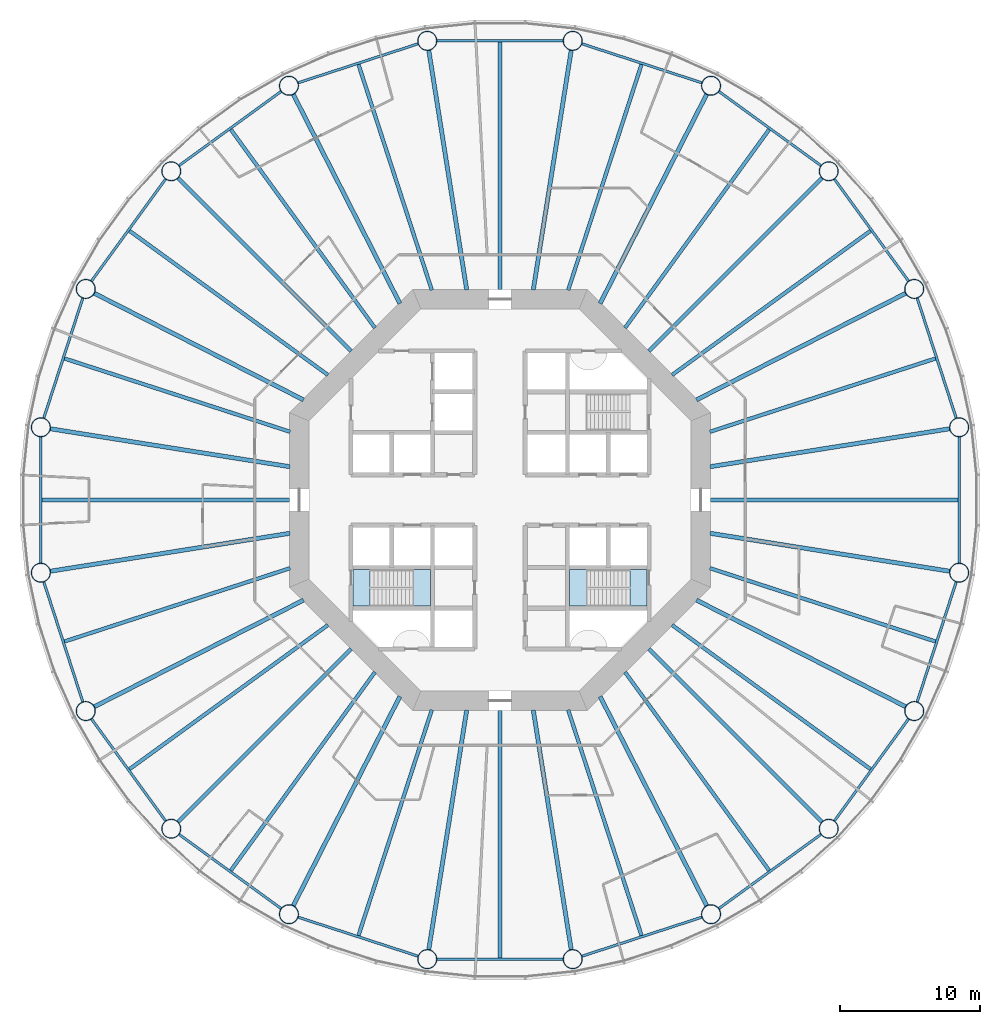
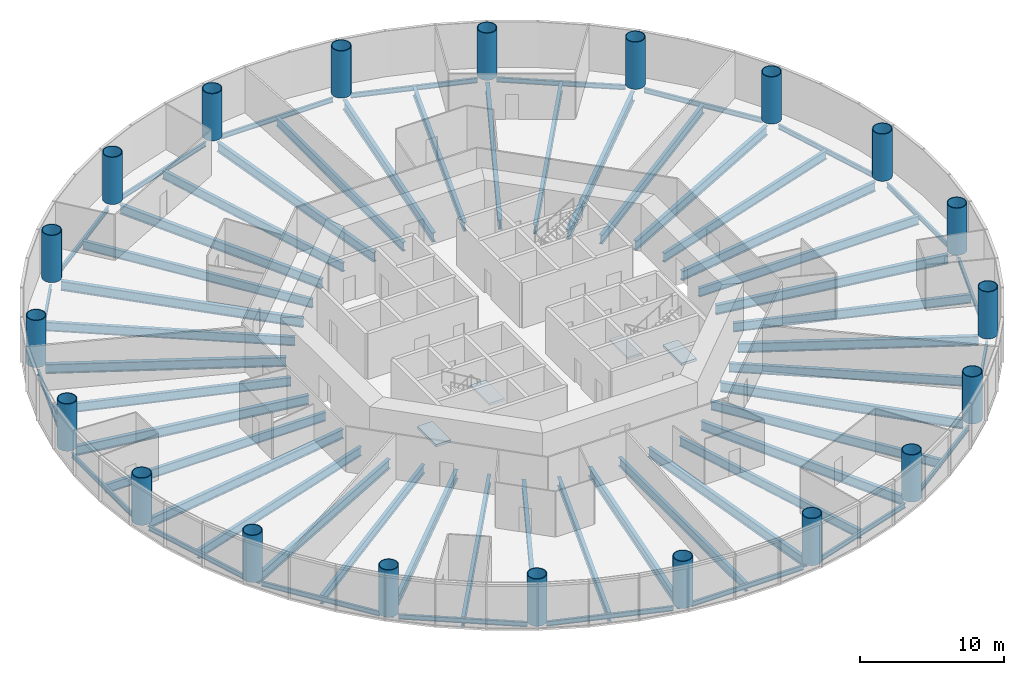
# One storey, part 1 of 13: 60 beams, 20 columns, 4 slabs, 2 elements without a shape of their own.
"""IFC4 building model written with IfcOpenShell, lengths in metres."""

import ifcopenshell
import ifcopenshell.guid

model = None  # the IFC model being written
_history = None  # IfcOwnerHistory: only IFC2X3 demands one
_inside = {}  # id of a spatial element -> (the spatial element, [elements in it])
_under = {}  # id of a project, library or spatial element -> (it, [spatial elements below it])
_declared = {}  # id of a project -> (the project, [libraries it declares])
_typed = {}  # id of a type object -> (the type object, [elements of that type])
_made_of = {}  # id of a material, layer set ... -> (it, [elements and type objects made of it])


def new_model(schema):
    """Start an empty IFC model of exactly this schema.

    Asked for "IFC4X3", IfcOpenShell would pick the latest addendum, in which some entities
    have other attributes; the version numbers below select the first issue.
    IFC2X3 requires an IfcOwnerHistory on every rooted entity: one is made here for all.
    """
    global model, _history
    if schema == "IFC4X3":
        model = ifcopenshell.file(schema_version=(4, 3, 0, 0))
    else:
        model = ifcopenshell.file(schema=schema)
    _inside.clear()
    _under.clear()
    _declared.clear()
    _typed.clear()
    _made_of.clear()
    _history = None
    if model.schema == "IFC2X3":
        org = make("IfcOrganization", Name="unknown")
        user = make(
            "IfcPersonAndOrganization",
            ThePerson=make("IfcPerson", FamilyName="unknown"),
            TheOrganization=org,
        )
        app = make(
            "IfcApplication",
            ApplicationDeveloper=org,
            Version="unknown",
            ApplicationFullName="unknown",
            ApplicationIdentifier="unknown",
        )
        _history = make(
            "IfcOwnerHistory",
            OwningUser=user,
            OwningApplication=app,
            ChangeAction="ADDED",
            CreationDate=0,
        )
    return model


def make(cls, **values):
    """One entity of the class cls with the attributes given. An attribute that is None is left unset."""
    return model.create_entity(
        cls, **{name: value for name, value in values.items() if value is not None}
    )


def rooted(cls, **values):
    """An entity with a GlobalId (a new one), such as an element, a storey or a relation."""
    return make(cls, GlobalId=ifcopenshell.guid.new(), OwnerHistory=_history, **values)


def si_unit(unit_type, name, prefix=None):
    """IfcSIUnit, for example si_unit("LENGTHUNIT", "METRE", prefix="MILLI")."""
    return make("IfcSIUnit", UnitType=unit_type, Prefix=prefix, Name=name)


def assignment(units):
    """IfcUnitAssignment: the units of a project."""
    return None if units is None else make("IfcUnitAssignment", Units=units)


def point(xyz):
    """IfcCartesianPoint."""
    return None if xyz is None else make("IfcCartesianPoint", Coordinates=xyz)


def direction(xyz):
    """IfcDirection."""
    return None if xyz is None else make("IfcDirection", DirectionRatios=xyz)


def frame(location, z_axis=None, x_axis=None):
    """IfcAxis2Placement3D, a coordinate frame: its origin and axes. An axis left out is left unset."""
    return make(
        "IfcAxis2Placement3D",
        Location=point(location),
        Axis=direction(z_axis),
        RefDirection=direction(x_axis),
    )


def frame_2d(location, x_axis=None):
    """IfcAxis2Placement2D, a coordinate frame in the plane: its origin and x axis."""
    return make(
        "IfcAxis2Placement2D", Location=point(location), RefDirection=direction(x_axis)
    )


def origin():
    """The frame at (0, 0, 0) with its axes left unset."""
    return frame((0.0, 0.0, 0.0))


def origin_2d():
    """The frame at (0, 0) in the plane with its x axis left unset."""
    return frame_2d((0.0, 0.0))


def place(relative_to, where):
    """IfcLocalPlacement: puts the frame where relative to a parent placement (None: the world)."""
    return make(
        "IfcLocalPlacement", PlacementRelTo=relative_to, RelativePlacement=where
    )


def context(
    kind, dimensions, precision=None, world=None, true_north=None, identifier=None
):
    """IfcGeometricRepresentationContext, for example the 3D "Model" context."""
    return make(
        "IfcGeometricRepresentationContext",
        ContextIdentifier=identifier,
        ContextType=kind,
        CoordinateSpaceDimension=dimensions,
        Precision=precision,
        WorldCoordinateSystem=world,
        TrueNorth=true_north,
    )


def subcontext(parent, identifier, kind, view, scale=None):
    """IfcGeometricRepresentationSubContext, for example "Body" below "Model"."""
    return make(
        "IfcGeometricRepresentationSubContext",
        ContextIdentifier=identifier,
        ContextType=kind,
        ParentContext=parent,
        TargetScale=scale,
        TargetView=view,
    )


def project(units=None, contexts=None):
    """IfcProject with its units and contexts."""
    return rooted(
        "IfcProject",
        Name="project",
        RepresentationContexts=contexts,
        UnitsInContext=assignment(units),
    )


def spatial(cls, under=None, at=None, **own):
    """A site, building, storey or space (cls), placed at a placement, below another one or the project."""
    s = rooted(cls, ObjectPlacement=at, **own)
    if under is not None:
        _under.setdefault(under.id(), (under, []))[1].append(s)
    return s


def polyline(points):
    """IfcPolyline through the points."""
    return make("IfcPolyline", Points=[point(p) for p in points])


def profile(cls, at=None, kind="AREA", **sizes):
    """A parametric profile (cls). Its sizes go by their IFC names, for example OverallWidth=200.0."""
    return make(cls, ProfileType=kind, Position=at, **sizes)


def circle(**sizes):
    """IfcCircleProfileDef."""
    return profile("IfcCircleProfileDef", **sizes)


def hollow_circle(**sizes):
    """IfcCircleHollowProfileDef."""
    return profile("IfcCircleHollowProfileDef", **sizes)


def i_section(**sizes):
    """IfcIShapeProfileDef."""
    return profile("IfcIShapeProfileDef", **sizes)


def outline(outer, holes=None, kind="AREA"):
    """IfcArbitraryClosedProfileDef: a profile drawn as a closed curve; with holes, ...WithVoids."""
    if holes is None:
        return make("IfcArbitraryClosedProfileDef", ProfileType=kind, OuterCurve=outer)
    return make(
        "IfcArbitraryProfileDefWithVoids",
        ProfileType=kind,
        OuterCurve=outer,
        InnerCurves=holes,
    )


def extrude(swept, where, along, depth):
    """IfcExtrudedAreaSolid: the profile swept, set in the frame where, extruded along a direction by depth."""
    return make(
        "IfcExtrudedAreaSolid",
        SweptArea=swept,
        Position=where,
        ExtrudedDirection=direction(along),
        Depth=depth,
    )


def shape(context_of_items, identifier, shape_type, items):
    """IfcShapeRepresentation: the items that make up one representation, for example the "Body"."""
    return make(
        "IfcShapeRepresentation",
        ContextOfItems=context_of_items,
        RepresentationIdentifier=identifier,
        RepresentationType=shape_type,
        Items=items,
    )


def material(Name=None, Category=None):
    """IfcMaterial."""
    return make("IfcMaterial", Name=Name, Category=Category)


def layer(
    of_material, thickness, ventilated=None, Name=None, Category=None, Priority=None
):
    """IfcMaterialLayer: one layer of a wall or slab, of a material (None: an air gap)."""
    return make(
        "IfcMaterialLayer",
        Material=of_material,
        LayerThickness=thickness,
        IsVentilated=ventilated,
        Name=Name,
        Category=Category,
        Priority=Priority,
    )


def layer_set(layers, Name=None):
    """IfcMaterialLayerSet."""
    return make("IfcMaterialLayerSet", MaterialLayers=layers, LayerSetName=Name)


def material_profile(
    of_material, cross_section, Name=None, Category=None, Priority=None
):
    """IfcMaterialProfile: a cross section and its material."""
    return make(
        "IfcMaterialProfile",
        Name=Name,
        Material=of_material,
        Profile=cross_section,
        Priority=Priority,
        Category=Category,
    )


def profile_set(profiles, Name=None, composite=None):
    """IfcMaterialProfileSet."""
    return make(
        "IfcMaterialProfileSet",
        Name=Name,
        MaterialProfiles=profiles,
        CompositeProfile=composite,
    )


def made_of(thing, what):
    """Note that an element or type object is made of a material, layer set ...; save() writes the relation."""
    if what is not None:
        _made_of.setdefault(what.id(), (what, []))[1].append(thing)
    return thing


def type_object(cls, material=None, **own):
    """A type object (cls), such as IfcWallType, which elements share."""
    return made_of(rooted(cls, **own), material)


def element(
    cls,
    number,
    at=None,
    inside=None,
    cuts=None,
    type_object=None,
    material=None,
    context=None,
    identifier="Body",
    shape_type=None,
    held_by="IfcProductDefinitionShape",
    body=None,
    shapes=None,
    **own,
):
    """One element of the class cls, such as IfcWall. Its Tag is "e" and its number.

    at: its placement. inside: the storey or other place that contains it. cuts: it is an
    opening in that element (IfcRelVoidsElement). A single representation is given by context,
    identifier, shape_type and body (its items); several are given by shapes. held_by: the class
    of the entity that holds the representations. save() writes the other relations.
    """
    e = rooted(cls, Tag="e%d" % number, ObjectPlacement=at, **own)
    if body is not None:
        shapes = [shape(context, identifier, shape_type, body)]
    if shapes is not None:
        e.Representation = make(held_by, Representations=shapes)
    if inside is not None:
        _inside.setdefault(inside.id(), (inside, []))[1].append(e)
    if cuts is not None:
        rooted(
            "IfcRelVoidsElement", RelatingBuildingElement=cuts, RelatedOpeningElement=e
        )
    if type_object is not None:
        _typed.setdefault(type_object.id(), (type_object, []))[1].append(e)
    return made_of(e, material)


def aggregate(whole, parts):
    """IfcRelAggregates: a whole, such as a stair, and the parts it consists of."""
    return rooted("IfcRelAggregates", RelatingObject=whole, RelatedObjects=parts)


def save(model, path):
    """Write the relations noted so far, then the file.

    IfcRelAggregates (storeys below a building ...), IfcRelContainedInSpatialStructure (elements
    in a storey), IfcRelDefinesByType, IfcRelAssociatesMaterial and IfcRelDeclares: one each for
    every whole, place, type object, material and project.
    """
    for whole, parts in _under.values():
        aggregate(whole, parts)
    for where, things in _inside.values():
        rooted(
            "IfcRelContainedInSpatialStructure",
            RelatedElements=things,
            RelatingStructure=where,
        )
    for kind, things in _typed.values():
        rooted("IfcRelDefinesByType", RelatedObjects=things, RelatingType=kind)
    for what, things in _made_of.values():
        rooted("IfcRelAssociatesMaterial", RelatedObjects=things, RelatingMaterial=what)
    for by, libraries in _declared.values():
        rooted("IfcRelDeclares", RelatingContext=by, RelatedDefinitions=libraries)
    model.write(path)


model = new_model("IFC4")

# Units and contexts
model_context = context("Model", 3, precision=1e-05, world=origin(), true_north=direction((0.0, 1.0)))
body_context = subcontext(model_context, "Body", "Model", "MODEL_VIEW")
ifc_project = project(units=[si_unit("LENGTHUNIT", "METRE"), si_unit("AREAUNIT", "SQUARE_METRE"), si_unit("VOLUMEUNIT", "CUBIC_METRE"), si_unit("PLANEANGLEUNIT", "RADIAN"), si_unit("MASSUNIT", "GRAM", prefix="KILO")], contexts=[model_context])

# Site, building, storey
site_placement = place(None, origin())
site = spatial("IfcSite", under=ifc_project, at=site_placement, CompositionType="ELEMENT")
building_placement = place(site_placement, origin())
building = spatial("IfcBuilding", under=site, at=building_placement, Name="Entoto Ring Tower", CompositionType="ELEMENT")
storey_placement = place(building_placement, frame((0.0, 0.0, 30.0)))
storey = spatial("IfcBuildingStorey", under=building, at=storey_placement, Name="L05", CompositionType="ELEMENT", Elevation=30.0)

# Columns
ifc_material_1 = material(Name="Steel S355", Category="steel")
ifc_material_profile_1 = material_profile(ifc_material_1, hollow_circle(Radius=0.699951171875, WallThickness=0.06005859375, at=origin_2d()), Name="CHS 1400 x 60")
ifc_material_2 = material(Name="Concrete C60/75", Category="concrete")
ifc_material_profile_2 = material_profile(ifc_material_2, circle(Radius=0.639892578125, at=origin_2d()), Name="Concrete C60/75 infill")
ifc_profile_set_1 = profile_set([ifc_material_profile_1, ifc_material_profile_2], Name="Steel S355")
column_type = type_object("IfcColumnType", Name="Ring column 1400 x 60 concrete-filled tube", PredefinedType="COLUMN", material=ifc_profile_set_1)
for number, where, z_axis, x_axis, name in (
    (1, (122.6923828125, 85.177978515625, 0.0), (0.0, 0.0, 1.0), (1.0, 0.0, 0.0), "RC1 R01"),
    (2, (119.492431640625, 95.027099609375, 0.0), (0.0, 0.0, 1.0), (1.0, 0.0, 0.0), "RC1 R02"),
    (3, (113.4052734375, 103.4052734375, 0.0), (0.0, 0.0, 1.0), (1.0, 0.0, 0.0), "RC1 R03"),
    (4, (105.027099609375, 109.492431640625, 0.0), (0.0, 0.0, 1.0), (1.0, 0.0, 0.0), "RC1 R04"),
    (5, (95.177978515625, 112.6923828125, 0.0), (0.0, 0.0, 1.0), (1.0, 0.0, 0.0), "RC1 R05"),
    (6, (84.822021484375, 112.6923828125, 0.0), (0.0, 0.0, 1.0), (1.0, 0.0, 0.0), "RC1 R06"),
    (7, (74.972900390625, 109.492431640625, 0.0), (0.0, 0.0, 1.0), (1.0, 0.0, 0.0), "RC1 R07"),
    (8, (66.5947265625, 103.4052734375, 0.0), (0.0, 0.0, 1.0), (1.0, 0.0, 0.0), "RC1 R08"),
    (9, (60.507568359375, 95.027099609375, 0.0), (0.0, 0.0, 1.0), (1.0, 0.0, 0.0), "RC1 R09"),
    (10, (57.3076171875, 85.177978515625, 0.0), (0.0, 0.0, 1.0), (1.0, 0.0, 0.0), "RC1 R10"),
    (11, (57.3076171875, 74.822021484375, 0.0), (0.0, 0.0, 1.0), (1.0, 0.0, 0.0), "RC1 R11"),
    (12, (60.507568359375, 64.972900390625, 0.0), (0.0, 0.0, 1.0), (1.0, 0.0, 0.0), "RC1 R12"),
    (13, (66.5947265625, 56.5947265625, 0.0), (0.0, 0.0, 1.0), (1.0, 0.0, 0.0), "RC1 R13"),
    (14, (74.972900390625, 50.507568359375, 0.0), (0.0, 0.0, 1.0), (1.0, 0.0, 0.0), "RC1 R14"),
    (15, (84.822021484375, 47.3076171875, 0.0), (0.0, 0.0, 1.0), (1.0, 0.0, 0.0), "RC1 R15"),
    (16, (95.177978515625, 47.3076171875, 0.0), (0.0, 0.0, 1.0), (1.0, 0.0, 0.0), "RC1 R16"),
    (17, (105.027099609375, 50.507568359375, 0.0), (0.0, 0.0, 1.0), (1.0, 0.0, 0.0), "RC1 R17"),
    (18, (113.4052734375, 56.5947265625, 0.0), (0.0, 0.0, 1.0), (1.0, 0.0, 0.0), "RC1 R18"),
    (19, (119.492431640625, 64.972900390625, 0.0), (0.0, 0.0, 1.0), (1.0, 0.0, 0.0), "RC1 R19"),
    (20, (122.6923828125, 74.822021484375, 0.0), (0.0, 0.0, 1.0), (1.0, 0.0, 0.0), "RC1 R20"),
):
    element("IfcColumn", number, at=place(storey_placement, frame(where, z_axis=z_axis, x_axis=x_axis)), inside=storey, type_object=column_type, Name=name, PredefinedType="COLUMN", context=body_context, shape_type="SweptSolid", body=[
        extrude(hollow_circle(Radius=0.699951171875, WallThickness=0.06005859375, at=origin_2d()), origin(), (0.0, 0.0, 1.0), 4.0),
    ])

# Beams
ifc_material_3 = material(Name="Steel S355", Category="steel")
ifc_material_profile_3 = material_profile(ifc_material_3, i_section(OverallWidth=0.179931640625, OverallDepth=0.39990234375, WebThickness=0.008544921875, FlangeThickness=0.013427734375, FilletRadius=0.02099609375, at=origin_2d()), Name="IPE 400")
ifc_profile_set_2 = profile_set([ifc_material_profile_3], Name="Steel S355")
beam_type_1 = type_object("IfcBeamType", Name="Edge beam IPE 400", PredefinedType="SPANDREL", material=ifc_profile_set_2)
for number, where, z_axis, x_axis, name in (
    (21, (122.484130859375, 85.819091796875, -0.35009765625), (-0.309006400295, 0.951059958455, 0.0), (-0.951059958455, -0.309006400295, 0.0), "Edge beam L05 01"),
    (22, (119.09619140625, 95.572509765625, -0.35009765625), (-0.587792917156, 0.80901142547, 0.0), (-0.80901142547, -0.587792917156, 0.0), "Edge beam L05 02"),
    (23, (112.85986328125, 103.801513671875, -0.35009765625), (-0.80901142547, 0.587792917156, 0.0), (-0.587792917156, -0.80901142547, 0.0), "Edge beam L05 03"),
    (24, (104.385986328125, 109.70068359375, -0.35009765625), (-0.951059958455, 0.309006400295, 0.0), (-0.309006400295, -0.951059958455, 0.0), "Edge beam L05 04"),
    (25, (94.50390625, 112.6923828125, -0.35009765625), (-1.0, 0.0, 0.0), (0.0, -1.0, 0.0), "Edge beam L05 05"),
    (26, (84.180908203125, 112.484130859375, -0.35009765625), (-0.951059958455, -0.309006400295, 0.0), (0.309006400295, -0.951059958455, 0.0), "Edge beam L05 06"),
    (27, (74.427490234375, 109.09619140625, -0.35009765625), (-0.80901142547, -0.587792917156, 0.0), (0.587792917156, -0.80901142547, 0.0), "Edge beam L05 07"),
    (28, (66.198486328125, 102.85986328125, -0.35009765625), (-0.587792917156, -0.80901142547, 0.0), (0.80901142547, -0.587792917156, 0.0), "Edge beam L05 08"),
    (29, (60.29931640625, 94.385986328125, -0.35009765625), (-0.309006400295, -0.951059958455, 0.0), (0.951059958455, -0.309006400295, 0.0), "Edge beam L05 09"),
    (30, (57.3076171875, 84.50390625, -0.35009765625), (0.0, -1.0, 0.0), (1.0, 0.0, 0.0), "Edge beam L05 10"),
    (31, (57.515869140625, 74.180908203125, -0.35009765625), (0.309006400295, -0.951059958455, 0.0), (0.951059958455, 0.309006400295, 0.0), "Edge beam L05 11"),
    (32, (60.90380859375, 64.427490234375, -0.35009765625), (0.587792917156, -0.80901142547, 0.0), (0.80901142547, 0.587792917156, 0.0), "Edge beam L05 12"),
    (33, (67.14013671875, 56.198486328125, -0.35009765625), (0.80901142547, -0.587792917156, 0.0), (0.587792917156, 0.80901142547, 0.0), "Edge beam L05 13"),
    (34, (75.614013671875, 50.29931640625, -0.35009765625), (0.951059958455, -0.309006400295, 0.0), (0.309006400295, 0.951059958455, 0.0), "Edge beam L05 14"),
    (35, (85.49609375, 47.3076171875, -0.35009765625), (1.0, 0.0, 0.0), (0.0, 1.0, 0.0), "Edge beam L05 15"),
    (36, (95.819091796875, 47.515869140625, -0.35009765625), (0.951059958455, 0.309006400295, 0.0), (-0.309006400295, 0.951059958455, 0.0), "Edge beam L05 16"),
    (37, (105.572509765625, 50.90380859375, -0.35009765625), (0.80901142547, 0.587792917156, 0.0), (-0.587792917156, 0.80901142547, 0.0), "Edge beam L05 17"),
    (38, (113.801513671875, 57.14013671875, -0.35009765625), (0.587792917156, 0.80901142547, 0.0), (-0.80901142547, 0.587792917156, 0.0), "Edge beam L05 18"),
    (39, (119.70068359375, 65.614013671875, -0.35009765625), (0.309006400295, 0.951059958455, 0.0), (-0.951059958455, 0.309006400295, 0.0), "Edge beam L05 19"),
    (40, (122.6923828125, 75.49609375, -0.35009765625), (0.0, 1.0, 0.0), (-1.0, 0.0, 0.0), "Edge beam L05 20"),
):
    element("IfcBeam", number, at=place(storey_placement, frame(where, z_axis=z_axis, x_axis=x_axis)), inside=storey, type_object=beam_type_1, Name=name, PredefinedType="SPANDREL", context=body_context, shape_type="SweptSolid", body=[
        extrude(i_section(OverallWidth=0.179931640625, OverallDepth=0.39990234375, WebThickness=0.008544921875, FlangeThickness=0.013427734375, FilletRadius=0.02099609375, at=origin_2d()), origin(), (0.0, 0.0, 1.0), 9.0078125),
    ])
ifc_material_4 = material(Name="Steel S355", Category="steel")
ifc_material_profile_4 = material_profile(ifc_material_4, i_section(OverallWidth=0.300048828125, OverallDepth=0.800048828125, WebThickness=0.017578125, FlangeThickness=0.032958984375, FilletRadius=0.030029296875, at=origin_2d()), Name="HE 800 B")
ifc_profile_set_3 = profile_set([ifc_material_profile_4], Name="Steel S355")
beam_type_2 = type_object("IfcBeamType", Name="Primary floor beam HE 800 B", PredefinedType="BEAM", material=ifc_profile_set_3)
beam_1_placement = place(storey_placement, frame((104.956787109375, 82.368896484375, -0.550048828125), z_axis=(0.98768775999, 0.156438130794, 0.0), x_axis=(-0.156438130794, 0.98768775999, 0.0)))
element("IfcBeam", 41, at=beam_1_placement, inside=storey, type_object=beam_type_2, Name="Primary L05 R01", PredefinedType="BEAM", context=body_context, shape_type="SweptSolid", body=[
    extrude(i_section(OverallWidth=0.300048828125, OverallDepth=0.800048828125, WebThickness=0.017578125, FlangeThickness=0.032958984375, FilletRadius=0.030029296875, at=origin_2d()), origin(), (0.0, 0.0, 1.0), 17.293212890625),
])
beam_2_placement = place(storey_placement, frame((103.99169921875, 87.129150390625, -0.550048828125), z_axis=(0.891007761657, 0.453988071063, 0.0), x_axis=(-0.453988071063, 0.891007761657, 0.0)))
element("IfcBeam", 42, at=beam_2_placement, inside=storey, type_object=beam_type_2, Name="Primary L05 R02", PredefinedType="BEAM", context=body_context, shape_type="SweptSolid", body=[
    extrude(i_section(OverallWidth=0.300048828125, OverallDepth=0.800048828125, WebThickness=0.017578125, FlangeThickness=0.032958984375, FilletRadius=0.030029296875, at=origin_2d()), origin(), (0.0, 0.0, 1.0), 16.733154296875),
])
beam_3_placement = place(storey_placement, frame((100.592529296875, 90.592529296875, -0.550048828125), z_axis=(0.707106781187, 0.707106781187, 0.0), x_axis=(-0.707106781187, 0.707106781187, 0.0)))
element("IfcBeam", 43, at=beam_3_placement, inside=storey, type_object=beam_type_2, Name="Primary L05 R03", PredefinedType="BEAM", context=body_context, shape_type="SweptSolid", body=[
    extrude(i_section(OverallWidth=0.300048828125, OverallDepth=0.800048828125, WebThickness=0.017578125, FlangeThickness=0.032958984375, FilletRadius=0.030029296875, at=origin_2d()), origin(), (0.0, 0.0, 1.0), 17.456298828125),
])
beam_4_placement = place(storey_placement, frame((97.129150390625, 93.99169921875, -0.550048828125), z_axis=(0.453988071063, 0.891007761657, 0.0), x_axis=(-0.891007761657, 0.453988071063, 0.0)))
element("IfcBeam", 44, at=beam_4_placement, inside=storey, type_object=beam_type_2, Name="Primary L05 R04", PredefinedType="BEAM", context=body_context, shape_type="SweptSolid", body=[
    extrude(i_section(OverallWidth=0.300048828125, OverallDepth=0.800048828125, WebThickness=0.017578125, FlangeThickness=0.032958984375, FilletRadius=0.030029296875, at=origin_2d()), origin(), (0.0, 0.0, 1.0), 16.733154296875),
])
for number, where, z_axis, x_axis, name in (
    (45, (92.368896484375, 94.956787109375, -0.550048828125), (0.156438130794, 0.98768775999, 0.0), (-0.98768775999, 0.156438130794, 0.0), "Primary L05 R05"),
    (46, (87.631103515625, 94.956787109375, -0.550048828125), (-0.156438130794, 0.98768775999, 0.0), (-0.98768775999, -0.156438130794, 0.0), "Primary L05 R06"),
):
    element("IfcBeam", number, at=place(storey_placement, frame(where, z_axis=z_axis, x_axis=x_axis)), inside=storey, type_object=beam_type_2, Name=name, PredefinedType="BEAM", context=body_context, shape_type="SweptSolid", body=[
        extrude(i_section(OverallWidth=0.300048828125, OverallDepth=0.800048828125, WebThickness=0.017578125, FlangeThickness=0.032958984375, FilletRadius=0.030029296875, at=origin_2d()), origin(), (0.0, 0.0, 1.0), 17.293212890625),
    ])
beam_5_placement = place(storey_placement, frame((82.870849609375, 93.99169921875, -0.550048828125), z_axis=(-0.453988071063, 0.891007761657, 0.0), x_axis=(-0.891007761657, -0.453988071063, 0.0)))
element("IfcBeam", 47, at=beam_5_placement, inside=storey, type_object=beam_type_2, Name="Primary L05 R07", PredefinedType="BEAM", context=body_context, shape_type="SweptSolid", body=[
    extrude(i_section(OverallWidth=0.300048828125, OverallDepth=0.800048828125, WebThickness=0.017578125, FlangeThickness=0.032958984375, FilletRadius=0.030029296875, at=origin_2d()), origin(), (0.0, 0.0, 1.0), 16.733154296875),
])
beam_6_placement = place(storey_placement, frame((79.407470703125, 90.592529296875, -0.550048828125), z_axis=(-0.707106781187, 0.707106781187, 0.0), x_axis=(-0.707106781187, -0.707106781187, 0.0)))
element("IfcBeam", 48, at=beam_6_placement, inside=storey, type_object=beam_type_2, Name="Primary L05 R08", PredefinedType="BEAM", context=body_context, shape_type="SweptSolid", body=[
    extrude(i_section(OverallWidth=0.300048828125, OverallDepth=0.800048828125, WebThickness=0.017578125, FlangeThickness=0.032958984375, FilletRadius=0.030029296875, at=origin_2d()), origin(), (0.0, 0.0, 1.0), 17.456298828125),
])
beam_7_placement = place(storey_placement, frame((76.00830078125, 87.129150390625, -0.550048828125), z_axis=(-0.891007761657, 0.453988071063, 0.0), x_axis=(-0.453988071063, -0.891007761657, 0.0)))
element("IfcBeam", 49, at=beam_7_placement, inside=storey, type_object=beam_type_2, Name="Primary L05 R09", PredefinedType="BEAM", context=body_context, shape_type="SweptSolid", body=[
    extrude(i_section(OverallWidth=0.300048828125, OverallDepth=0.800048828125, WebThickness=0.017578125, FlangeThickness=0.032958984375, FilletRadius=0.030029296875, at=origin_2d()), origin(), (0.0, 0.0, 1.0), 16.733154296875),
])
for number, where, z_axis, x_axis, name in (
    (50, (75.043212890625, 82.368896484375, -0.550048828125), (-0.98768775999, 0.156438130794, 0.0), (-0.156438130794, -0.98768775999, 0.0), "Primary L05 R10"),
    (51, (75.043212890625, 77.631103515625, -0.550048828125), (-0.98768775999, -0.156438130794, 0.0), (0.156438130794, -0.98768775999, 0.0), "Primary L05 R11"),
):
    element("IfcBeam", number, at=place(storey_placement, frame(where, z_axis=z_axis, x_axis=x_axis)), inside=storey, type_object=beam_type_2, Name=name, PredefinedType="BEAM", context=body_context, shape_type="SweptSolid", body=[
        extrude(i_section(OverallWidth=0.300048828125, OverallDepth=0.800048828125, WebThickness=0.017578125, FlangeThickness=0.032958984375, FilletRadius=0.030029296875, at=origin_2d()), origin(), (0.0, 0.0, 1.0), 17.293212890625),
    ])
beam_8_placement = place(storey_placement, frame((76.00830078125, 72.870849609375, -0.550048828125), z_axis=(-0.891007761657, -0.453988071063, 0.0), x_axis=(0.453988071063, -0.891007761657, 0.0)))
element("IfcBeam", 52, at=beam_8_placement, inside=storey, type_object=beam_type_2, Name="Primary L05 R12", PredefinedType="BEAM", context=body_context, shape_type="SweptSolid", body=[
    extrude(i_section(OverallWidth=0.300048828125, OverallDepth=0.800048828125, WebThickness=0.017578125, FlangeThickness=0.032958984375, FilletRadius=0.030029296875, at=origin_2d()), origin(), (0.0, 0.0, 1.0), 16.733154296875),
])
beam_9_placement = place(storey_placement, frame((79.407470703125, 69.407470703125, -0.550048828125), z_axis=(-0.707106781187, -0.707106781187, 0.0), x_axis=(0.707106781187, -0.707106781187, 0.0)))
element("IfcBeam", 53, at=beam_9_placement, inside=storey, type_object=beam_type_2, Name="Primary L05 R13", PredefinedType="BEAM", context=body_context, shape_type="SweptSolid", body=[
    extrude(i_section(OverallWidth=0.300048828125, OverallDepth=0.800048828125, WebThickness=0.017578125, FlangeThickness=0.032958984375, FilletRadius=0.030029296875, at=origin_2d()), origin(), (0.0, 0.0, 1.0), 17.456298828125),
])
beam_10_placement = place(storey_placement, frame((82.870849609375, 66.00830078125, -0.550048828125), z_axis=(-0.453988071063, -0.891007761657, 0.0), x_axis=(0.891007761657, -0.453988071063, 0.0)))
element("IfcBeam", 54, at=beam_10_placement, inside=storey, type_object=beam_type_2, Name="Primary L05 R14", PredefinedType="BEAM", context=body_context, shape_type="SweptSolid", body=[
    extrude(i_section(OverallWidth=0.300048828125, OverallDepth=0.800048828125, WebThickness=0.017578125, FlangeThickness=0.032958984375, FilletRadius=0.030029296875, at=origin_2d()), origin(), (0.0, 0.0, 1.0), 16.733154296875),
])
for number, where, z_axis, x_axis, name in (
    (55, (87.631103515625, 65.043212890625, -0.550048828125), (-0.156438130794, -0.98768775999, 0.0), (0.98768775999, -0.156438130794, 0.0), "Primary L05 R15"),
    (56, (92.368896484375, 65.043212890625, -0.550048828125), (0.156438130794, -0.98768775999, 0.0), (0.98768775999, 0.156438130794, 0.0), "Primary L05 R16"),
):
    element("IfcBeam", number, at=place(storey_placement, frame(where, z_axis=z_axis, x_axis=x_axis)), inside=storey, type_object=beam_type_2, Name=name, PredefinedType="BEAM", context=body_context, shape_type="SweptSolid", body=[
        extrude(i_section(OverallWidth=0.300048828125, OverallDepth=0.800048828125, WebThickness=0.017578125, FlangeThickness=0.032958984375, FilletRadius=0.030029296875, at=origin_2d()), origin(), (0.0, 0.0, 1.0), 17.293212890625),
    ])
beam_11_placement = place(storey_placement, frame((97.129150390625, 66.00830078125, -0.550048828125), z_axis=(0.453988071063, -0.891007761657, 0.0), x_axis=(0.891007761657, 0.453988071063, 0.0)))
element("IfcBeam", 57, at=beam_11_placement, inside=storey, type_object=beam_type_2, Name="Primary L05 R17", PredefinedType="BEAM", context=body_context, shape_type="SweptSolid", body=[
    extrude(i_section(OverallWidth=0.300048828125, OverallDepth=0.800048828125, WebThickness=0.017578125, FlangeThickness=0.032958984375, FilletRadius=0.030029296875, at=origin_2d()), origin(), (0.0, 0.0, 1.0), 16.733154296875),
])
beam_12_placement = place(storey_placement, frame((100.592529296875, 69.407470703125, -0.550048828125), z_axis=(0.707106781187, -0.707106781187, 0.0), x_axis=(0.707106781187, 0.707106781187, 0.0)))
element("IfcBeam", 58, at=beam_12_placement, inside=storey, type_object=beam_type_2, Name="Primary L05 R18", PredefinedType="BEAM", context=body_context, shape_type="SweptSolid", body=[
    extrude(i_section(OverallWidth=0.300048828125, OverallDepth=0.800048828125, WebThickness=0.017578125, FlangeThickness=0.032958984375, FilletRadius=0.030029296875, at=origin_2d()), origin(), (0.0, 0.0, 1.0), 17.456298828125),
])
beam_13_placement = place(storey_placement, frame((103.99169921875, 72.870849609375, -0.550048828125), z_axis=(0.891007761657, -0.453988071063, 0.0), x_axis=(0.453988071063, 0.891007761657, 0.0)))
element("IfcBeam", 59, at=beam_13_placement, inside=storey, type_object=beam_type_2, Name="Primary L05 R19", PredefinedType="BEAM", context=body_context, shape_type="SweptSolid", body=[
    extrude(i_section(OverallWidth=0.300048828125, OverallDepth=0.800048828125, WebThickness=0.017578125, FlangeThickness=0.032958984375, FilletRadius=0.030029296875, at=origin_2d()), origin(), (0.0, 0.0, 1.0), 16.733154296875),
])
beam_14_placement = place(storey_placement, frame((104.956787109375, 77.631103515625, -0.550048828125), z_axis=(0.98768775999, -0.156438130794, 0.0), x_axis=(0.156438130794, 0.98768775999, 0.0)))
element("IfcBeam", 60, at=beam_14_placement, inside=storey, type_object=beam_type_2, Name="Primary L05 R20", PredefinedType="BEAM", context=body_context, shape_type="SweptSolid", body=[
    extrude(i_section(OverallWidth=0.300048828125, OverallDepth=0.800048828125, WebThickness=0.017578125, FlangeThickness=0.032958984375, FilletRadius=0.030029296875, at=origin_2d()), origin(), (0.0, 0.0, 1.0), 17.293212890625),
])
ifc_material_5 = material(Name="Steel S355", Category="steel")
ifc_material_profile_5 = material_profile(ifc_material_5, i_section(OverallWidth=0.262939453125, OverallDepth=0.7529296875, WebThickness=0.011474609375, FlangeThickness=0.01708984375, FilletRadius=0.01708984375, at=origin_2d()), Name="IPE 750 x 137")
ifc_profile_set_4 = profile_set([ifc_material_profile_5], Name="Steel S355")
beam_type_3 = type_object("IfcBeamType", Name="Secondary floor beam IPE 750 x 137", PredefinedType="JOIST", material=ifc_profile_set_4)
beam_15_placement = place(storey_placement, frame((104.9404296875, 84.8544921875, -0.526611328125), z_axis=(0.951057855768, 0.30901287187, 0.0), x_axis=(-0.30901287187, 0.951057855768, 0.0)))
element("IfcBeam", 61, at=beam_15_placement, inside=storey, type_object=beam_type_3, Name="Secondary beam L05 01", PredefinedType="JOIST", context=body_context, shape_type="SweptSolid", body=[
    extrude(i_section(OverallWidth=0.262939453125, OverallDepth=0.7529296875, WebThickness=0.011474609375, FlangeThickness=0.01708984375, FilletRadius=0.01708984375, at=origin_2d()), origin(), (0.0, 0.0, 1.0), 16.893310546875),
])
for number, where, z_axis, x_axis, name in (
    (62, (102.25341796875, 88.902587890625, -0.526611328125), (0.809014194973, 0.58778910532, 0.0), (-0.58778910532, 0.809014194973, 0.0), "Secondary beam L05 02"),
    (63, (98.902587890625, 92.25341796875, -0.526611328125), (0.58778910532, 0.809014194973, 0.0), (-0.809014194973, 0.58778910532, 0.0), "Secondary beam L05 03"),
):
    element("IfcBeam", number, at=place(storey_placement, frame(where, z_axis=z_axis, x_axis=x_axis)), inside=storey, type_object=beam_type_3, Name=name, PredefinedType="JOIST", context=body_context, shape_type="SweptSolid", body=[
        extrude(i_section(OverallWidth=0.262939453125, OverallDepth=0.7529296875, WebThickness=0.011474609375, FlangeThickness=0.01708984375, FilletRadius=0.01708984375, at=origin_2d()), origin(), (0.0, 0.0, 1.0), 17.45654296875),
    ])
beam_16_placement = place(storey_placement, frame((94.8544921875, 94.9404296875, -0.526611328125), z_axis=(0.30901287187, 0.951057855768, 0.0), x_axis=(-0.951057855768, 0.30901287187, 0.0)))
element("IfcBeam", 64, at=beam_16_placement, inside=storey, type_object=beam_type_3, Name="Secondary beam L05 04", PredefinedType="JOIST", context=body_context, shape_type="SweptSolid", body=[
    extrude(i_section(OverallWidth=0.262939453125, OverallDepth=0.7529296875, WebThickness=0.011474609375, FlangeThickness=0.01708984375, FilletRadius=0.01708984375, at=origin_2d()), origin(), (0.0, 0.0, 1.0), 16.893310546875),
])
beam_17_placement = place(storey_placement, frame((90.0, 94.97998046875, -0.526611328125), z_axis=(0.0, 1.0, 0.0), x_axis=(-1.0, 0.0, 0.0)))
element("IfcBeam", 65, at=beam_17_placement, inside=storey, type_object=beam_type_3, Name="Secondary beam L05 05", PredefinedType="JOIST", context=body_context, shape_type="SweptSolid", body=[
    extrude(i_section(OverallWidth=0.262939453125, OverallDepth=0.7529296875, WebThickness=0.011474609375, FlangeThickness=0.01708984375, FilletRadius=0.01708984375, at=origin_2d()), origin(), (0.0, 0.0, 1.0), 17.62255859375),
])
beam_18_placement = place(storey_placement, frame((85.1455078125, 94.9404296875, -0.526611328125), z_axis=(-0.30901287187, 0.951057855768, 0.0), x_axis=(-0.951057855768, -0.30901287187, 0.0)))
element("IfcBeam", 66, at=beam_18_placement, inside=storey, type_object=beam_type_3, Name="Secondary beam L05 06", PredefinedType="JOIST", context=body_context, shape_type="SweptSolid", body=[
    extrude(i_section(OverallWidth=0.262939453125, OverallDepth=0.7529296875, WebThickness=0.011474609375, FlangeThickness=0.01708984375, FilletRadius=0.01708984375, at=origin_2d()), origin(), (0.0, 0.0, 1.0), 16.893310546875),
])
for number, where, z_axis, x_axis, name in (
    (67, (81.097412109375, 92.25341796875, -0.526611328125), (-0.58778910532, 0.809014194973, 0.0), (-0.809014194973, -0.58778910532, 0.0), "Secondary beam L05 07"),
    (68, (77.74658203125, 88.902587890625, -0.526611328125), (-0.809014194973, 0.58778910532, 0.0), (-0.58778910532, -0.809014194973, 0.0), "Secondary beam L05 08"),
):
    element("IfcBeam", number, at=place(storey_placement, frame(where, z_axis=z_axis, x_axis=x_axis)), inside=storey, type_object=beam_type_3, Name=name, PredefinedType="JOIST", context=body_context, shape_type="SweptSolid", body=[
        extrude(i_section(OverallWidth=0.262939453125, OverallDepth=0.7529296875, WebThickness=0.011474609375, FlangeThickness=0.01708984375, FilletRadius=0.01708984375, at=origin_2d()), origin(), (0.0, 0.0, 1.0), 17.45654296875),
    ])
beam_19_placement = place(storey_placement, frame((75.0595703125, 84.8544921875, -0.526611328125), z_axis=(-0.951057855768, 0.30901287187, 0.0), x_axis=(-0.30901287187, -0.951057855768, 0.0)))
element("IfcBeam", 69, at=beam_19_placement, inside=storey, type_object=beam_type_3, Name="Secondary beam L05 09", PredefinedType="JOIST", context=body_context, shape_type="SweptSolid", body=[
    extrude(i_section(OverallWidth=0.262939453125, OverallDepth=0.7529296875, WebThickness=0.011474609375, FlangeThickness=0.01708984375, FilletRadius=0.01708984375, at=origin_2d()), origin(), (0.0, 0.0, 1.0), 16.893310546875),
])
beam_20_placement = place(storey_placement, frame((75.02001953125, 80.0, -0.526611328125), z_axis=(-1.0, 0.0, 0.0), x_axis=(0.0, -1.0, 0.0)))
element("IfcBeam", 70, at=beam_20_placement, inside=storey, type_object=beam_type_3, Name="Secondary beam L05 10", PredefinedType="JOIST", context=body_context, shape_type="SweptSolid", body=[
    extrude(i_section(OverallWidth=0.262939453125, OverallDepth=0.7529296875, WebThickness=0.011474609375, FlangeThickness=0.01708984375, FilletRadius=0.01708984375, at=origin_2d()), origin(), (0.0, 0.0, 1.0), 17.62255859375),
])
beam_21_placement = place(storey_placement, frame((75.0595703125, 75.1455078125, -0.526611328125), z_axis=(-0.951057855768, -0.30901287187, 0.0), x_axis=(0.30901287187, -0.951057855768, 0.0)))
element("IfcBeam", 71, at=beam_21_placement, inside=storey, type_object=beam_type_3, Name="Secondary beam L05 11", PredefinedType="JOIST", context=body_context, shape_type="SweptSolid", body=[
    extrude(i_section(OverallWidth=0.262939453125, OverallDepth=0.7529296875, WebThickness=0.011474609375, FlangeThickness=0.01708984375, FilletRadius=0.01708984375, at=origin_2d()), origin(), (0.0, 0.0, 1.0), 16.893310546875),
])
for number, where, z_axis, x_axis, name in (
    (72, (77.74658203125, 71.097412109375, -0.526611328125), (-0.809014194973, -0.58778910532, 0.0), (0.58778910532, -0.809014194973, 0.0), "Secondary beam L05 12"),
    (73, (81.097412109375, 67.74658203125, -0.526611328125), (-0.58778910532, -0.809014194973, 0.0), (0.809014194973, -0.58778910532, 0.0), "Secondary beam L05 13"),
):
    element("IfcBeam", number, at=place(storey_placement, frame(where, z_axis=z_axis, x_axis=x_axis)), inside=storey, type_object=beam_type_3, Name=name, PredefinedType="JOIST", context=body_context, shape_type="SweptSolid", body=[
        extrude(i_section(OverallWidth=0.262939453125, OverallDepth=0.7529296875, WebThickness=0.011474609375, FlangeThickness=0.01708984375, FilletRadius=0.01708984375, at=origin_2d()), origin(), (0.0, 0.0, 1.0), 17.45654296875),
    ])
beam_22_placement = place(storey_placement, frame((85.1455078125, 65.0595703125, -0.526611328125), z_axis=(-0.30901287187, -0.951057855768, 0.0), x_axis=(0.951057855768, -0.30901287187, 0.0)))
element("IfcBeam", 74, at=beam_22_placement, inside=storey, type_object=beam_type_3, Name="Secondary beam L05 14", PredefinedType="JOIST", context=body_context, shape_type="SweptSolid", body=[
    extrude(i_section(OverallWidth=0.262939453125, OverallDepth=0.7529296875, WebThickness=0.011474609375, FlangeThickness=0.01708984375, FilletRadius=0.01708984375, at=origin_2d()), origin(), (0.0, 0.0, 1.0), 16.893310546875),
])
beam_23_placement = place(storey_placement, frame((90.0, 65.02001953125, -0.526611328125), z_axis=(0.0, -1.0, 0.0), x_axis=(1.0, 0.0, 0.0)))
element("IfcBeam", 75, at=beam_23_placement, inside=storey, type_object=beam_type_3, Name="Secondary beam L05 15", PredefinedType="JOIST", context=body_context, shape_type="SweptSolid", body=[
    extrude(i_section(OverallWidth=0.262939453125, OverallDepth=0.7529296875, WebThickness=0.011474609375, FlangeThickness=0.01708984375, FilletRadius=0.01708984375, at=origin_2d()), origin(), (0.0, 0.0, 1.0), 17.62255859375),
])
beam_24_placement = place(storey_placement, frame((94.8544921875, 65.0595703125, -0.526611328125), z_axis=(0.30901287187, -0.951057855768, 0.0), x_axis=(0.951057855768, 0.30901287187, 0.0)))
element("IfcBeam", 76, at=beam_24_placement, inside=storey, type_object=beam_type_3, Name="Secondary beam L05 16", PredefinedType="JOIST", context=body_context, shape_type="SweptSolid", body=[
    extrude(i_section(OverallWidth=0.262939453125, OverallDepth=0.7529296875, WebThickness=0.011474609375, FlangeThickness=0.01708984375, FilletRadius=0.01708984375, at=origin_2d()), origin(), (0.0, 0.0, 1.0), 16.893310546875),
])
for number, where, z_axis, x_axis, name in (
    (77, (98.902587890625, 67.74658203125, -0.526611328125), (0.58778910532, -0.809014194973, 0.0), (0.809014194973, 0.58778910532, 0.0), "Secondary beam L05 17"),
    (78, (102.25341796875, 71.097412109375, -0.526611328125), (0.809014194973, -0.58778910532, 0.0), (0.58778910532, 0.809014194973, 0.0), "Secondary beam L05 18"),
):
    element("IfcBeam", number, at=place(storey_placement, frame(where, z_axis=z_axis, x_axis=x_axis)), inside=storey, type_object=beam_type_3, Name=name, PredefinedType="JOIST", context=body_context, shape_type="SweptSolid", body=[
        extrude(i_section(OverallWidth=0.262939453125, OverallDepth=0.7529296875, WebThickness=0.011474609375, FlangeThickness=0.01708984375, FilletRadius=0.01708984375, at=origin_2d()), origin(), (0.0, 0.0, 1.0), 17.45654296875),
    ])
beam_25_placement = place(storey_placement, frame((104.9404296875, 75.1455078125, -0.526611328125), z_axis=(0.951057855768, -0.30901287187, 0.0), x_axis=(0.30901287187, 0.951057855768, 0.0)))
element("IfcBeam", 79, at=beam_25_placement, inside=storey, type_object=beam_type_3, Name="Secondary beam L05 19", PredefinedType="JOIST", context=body_context, shape_type="SweptSolid", body=[
    extrude(i_section(OverallWidth=0.262939453125, OverallDepth=0.7529296875, WebThickness=0.011474609375, FlangeThickness=0.01708984375, FilletRadius=0.01708984375, at=origin_2d()), origin(), (0.0, 0.0, 1.0), 16.893310546875),
])
beam_26_placement = place(storey_placement, frame((104.97998046875, 80.0, -0.526611328125), z_axis=(1.0, 0.0, 0.0), x_axis=(0.0, 1.0, 0.0)))
element("IfcBeam", 80, at=beam_26_placement, inside=storey, type_object=beam_type_3, Name="Secondary beam L05 20", PredefinedType="JOIST", context=body_context, shape_type="SweptSolid", body=[
    extrude(i_section(OverallWidth=0.262939453125, OverallDepth=0.7529296875, WebThickness=0.011474609375, FlangeThickness=0.01708984375, FilletRadius=0.01708984375, at=origin_2d()), origin(), (0.0, 0.0, 1.0), 17.62255859375),
])

# Stair, slabs
ifc_material_6 = material(Name="Concrete C40/50", Category="concrete")
stair_type = type_object("IfcStairType", Name="Exit stair 1200 mm dog-leg reinforced concrete", PredefinedType="HALF_TURN_STAIR", material=ifc_material_6)
stair_1_placement = place(storey_placement, origin())
stair_1 = element("IfcStair", 81, at=stair_1_placement, inside=storey, type_object=stair_type, Name="Exit stair 2", PredefinedType="HALF_TURN_STAIR")
ifc_material_7 = material(Name="Concrete C40/50", Category="concrete")
ifc_layer = layer(ifc_material_7, 0.199951171875)
ifc_layer_set = layer_set([ifc_layer], Name="Concrete C40/50")
slab_type = type_object("IfcSlabType", Name="Stair landing 200 mm reinforced concrete", PredefinedType="LANDING", material=ifc_layer_set)
slab_1_placement = place(storey_placement, frame((0.0, 0.0, -0.199951171875)))
slab_1 = element("IfcSlab", 82, at=slab_1_placement, type_object=slab_type, Name="ST2 landing 1", PredefinedType="LANDING", context=body_context, shape_type="SweptSolid", body=[
    extrude(outline(polyline([(80.75, 72.449951171875), (80.75, 75.050048828125), (79.550048828125, 75.050048828125), (79.550048828125, 72.449951171875), (80.75, 72.449951171875)])), origin(), (0.0, 0.0, 1.0), 0.199951171875),
])
slab_2_placement = place(storey_placement, frame((0.0, 0.0, 1.800048828125)))
slab_2 = element("IfcSlab", 83, at=slab_2_placement, type_object=slab_type, Name="ST2 landing 2", PredefinedType="LANDING", context=body_context, shape_type="SweptSolid", body=[
    extrude(outline(polyline([(83.830078125, 72.449951171875), (85.050048828125, 72.449951171875), (85.050048828125, 75.050048828125), (83.830078125, 75.050048828125), (83.830078125, 72.449951171875)])), origin(), (0.0, 0.0, 1.0), 0.199951171875),
])
aggregate(stair_1, [slab_1, slab_2])

stair_2_placement = place(storey_placement, origin())
stair_2 = element("IfcStair", 84, at=stair_2_placement, inside=storey, type_object=stair_type, Name="Exit stair 3", PredefinedType="HALF_TURN_STAIR")
slab_3_placement = place(storey_placement, frame((0.0, 0.0, -0.199951171875)))
slab_3 = element("IfcSlab", 85, at=slab_3_placement, type_object=slab_type, Name="ST3 landing 1", PredefinedType="LANDING", context=body_context, shape_type="SweptSolid", body=[
    extrude(outline(polyline([(100.449951171875, 72.449951171875), (100.449951171875, 75.050048828125), (99.25, 75.050048828125), (99.25, 72.449951171875), (100.449951171875, 72.449951171875)])), origin(), (0.0, 0.0, 1.0), 0.199951171875),
])
slab_4_placement = place(storey_placement, frame((0.0, 0.0, 1.800048828125)))
slab_4 = element("IfcSlab", 86, at=slab_4_placement, type_object=slab_type, Name="ST3 landing 2", PredefinedType="LANDING", context=body_context, shape_type="SweptSolid", body=[
    extrude(outline(polyline([(94.949951171875, 72.449951171875), (96.169921875, 72.449951171875), (96.169921875, 75.050048828125), (94.949951171875, 75.050048828125), (94.949951171875, 72.449951171875)])), origin(), (0.0, 0.0, 1.0), 0.199951171875),
])
aggregate(stair_2, [slab_3, slab_4])

save(model, "model.ifc")
